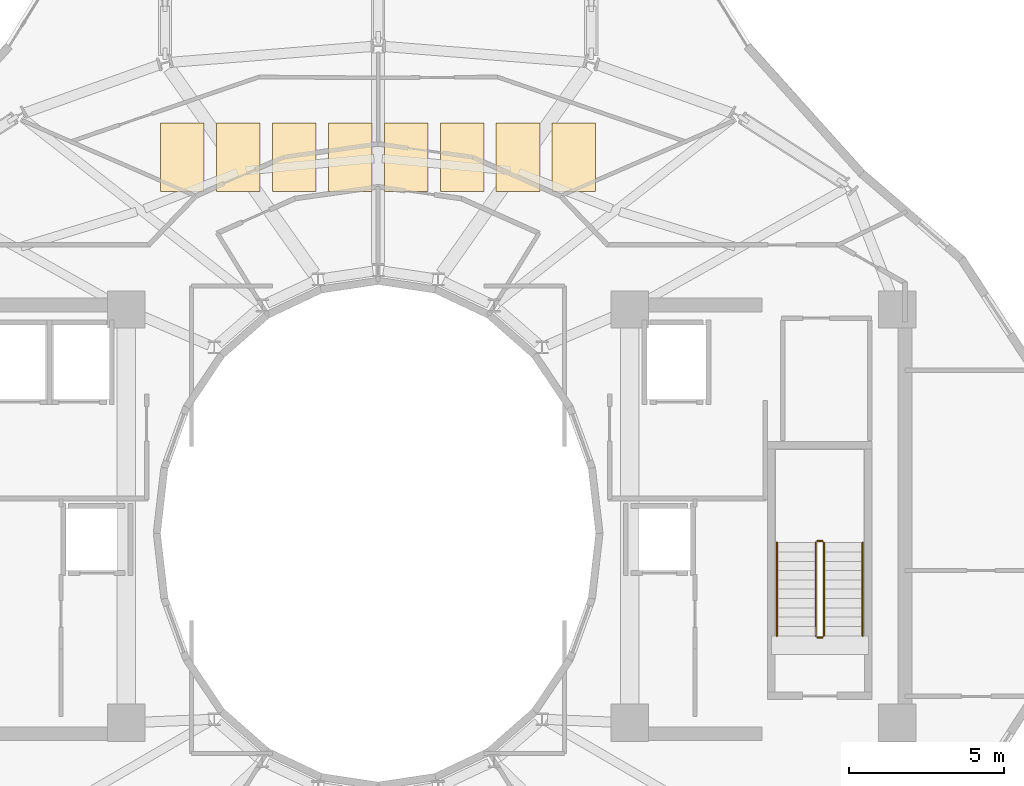
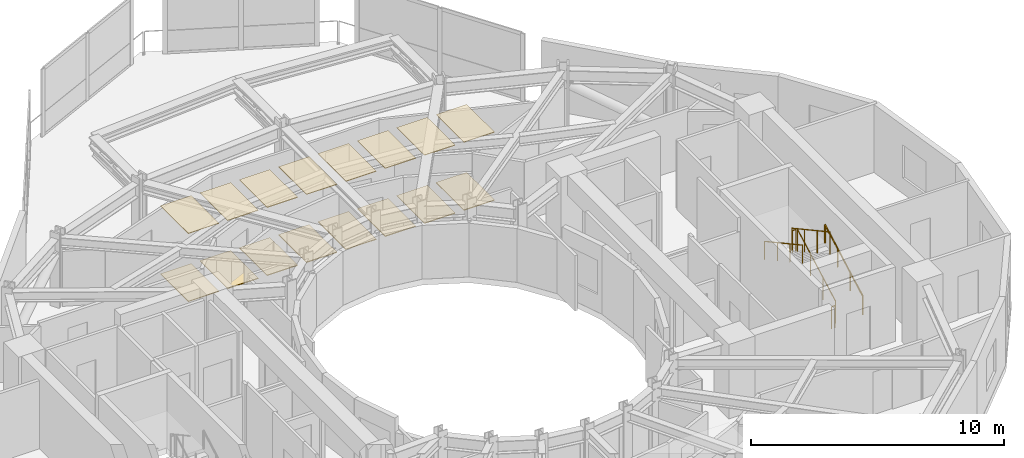
# One storey, part 18 of 19: 16 coverings, 6 railings.
"""IFC4 building model written with IfcOpenShell, lengths in metres."""

from ifc_helpers import new_model, si_unit, direction, frame, origin, origin_2d, place, context, subcontext, project, spatial, polyline, circle, outline, extrude, material, layer, layer_set, type_object, element, save


model = new_model("IFC4")

# Units and contexts
model_context = context("Model", 3, precision=1e-05, world=origin(), true_north=direction((0.0, 1.0)))
body_context = subcontext(model_context, "Body", "Model", "MODEL_VIEW")
ifc_project = project(units=[si_unit("LENGTHUNIT", "METRE"), si_unit("AREAUNIT", "SQUARE_METRE"), si_unit("VOLUMEUNIT", "CUBIC_METRE"), si_unit("PLANEANGLEUNIT", "RADIAN"), si_unit("MASSUNIT", "GRAM", prefix="KILO")], contexts=[model_context])

# Site, building, storey
site_placement = place(None, origin())
site = spatial("IfcSite", under=ifc_project, at=site_placement, CompositionType="ELEMENT")
building_placement = place(site_placement, origin())
building = spatial("IfcBuilding", under=site, at=building_placement, Name="Solvane Sanctuary Tower", CompositionType="ELEMENT")
storey_placement = place(building_placement, frame((0.0, 0.0, 242.39990234375)))
storey = spatial("IfcBuildingStorey", under=building, at=storey_placement, Name="L74", CompositionType="ELEMENT", Elevation=242.39990234375)

# Coverings
ifc_material_1 = material(Name="Acoustic Gypsum Partition Board")
ifc_layer_1 = layer(ifc_material_1, 0.02490234375, Name="Acoustic Gypsum Partition Board")
ifc_layer_set_1 = layer_set([ifc_layer_1], Name="Acoustic Gypsum Partition Board")
covering_type_1 = type_object("IfcCoveringType", Name="Covering CLG-ACOUST", PredefinedType="CEILING", material=ifc_layer_set_1)
covering_1_placement = place(storey_placement, frame((0.0, 0.0, 3.2900390625)))
element("IfcCovering", 1, at=covering_1_placement, inside=storey, type_object=covering_type_1, Name="L74 Sky Dining Acoustic Coffer 1", PredefinedType="CEILING", context=body_context, shape_type="SweptSolid", body=[
    extrude(outline(polyline([(25.0, 34.0), (26.39990234375, 34.0), (26.39990234375, 36.199951171875), (25.0, 36.199951171875), (25.0, 34.0)])), origin(), (0.0, 0.0, 1.0), 0.030029296875),
])
covering_2_placement = place(storey_placement, frame((0.0, 0.0, 3.2900390625)))
element("IfcCovering", 2, at=covering_2_placement, inside=storey, type_object=covering_type_1, Name="L74 Sky Dining Acoustic Coffer 2", PredefinedType="CEILING", context=body_context, shape_type="SweptSolid", body=[
    extrude(outline(polyline([(26.800048828125, 34.0), (28.199951171875, 34.0), (28.199951171875, 36.199951171875), (26.800048828125, 36.199951171875), (26.800048828125, 34.0)])), origin(), (0.0, 0.0, 1.0), 0.030029296875),
])
covering_3_placement = place(storey_placement, frame((0.0, 0.0, 3.2900390625)))
element("IfcCovering", 3, at=covering_3_placement, inside=storey, type_object=covering_type_1, Name="L74 Sky Dining Acoustic Coffer 3", PredefinedType="CEILING", context=body_context, shape_type="SweptSolid", body=[
    extrude(outline(polyline([(28.60009765625, 34.0), (30.0, 34.0), (30.0, 36.199951171875), (28.60009765625, 36.199951171875), (28.60009765625, 34.0)])), origin(), (0.0, 0.0, 1.0), 0.030029296875),
])
covering_4_placement = place(storey_placement, frame((0.0, 0.0, 3.2900390625)))
element("IfcCovering", 4, at=covering_4_placement, inside=storey, type_object=covering_type_1, Name="L74 Sky Dining Acoustic Coffer 4", PredefinedType="CEILING", context=body_context, shape_type="SweptSolid", body=[
    extrude(outline(polyline([(30.39990234375, 34.0), (31.800048828125, 34.0), (31.800048828125, 36.199951171875), (30.39990234375, 36.199951171875), (30.39990234375, 34.0)])), origin(), (0.0, 0.0, 1.0), 0.030029296875),
])
covering_5_placement = place(storey_placement, frame((0.0, 0.0, 3.2900390625)))
element("IfcCovering", 5, at=covering_5_placement, inside=storey, type_object=covering_type_1, Name="L74 Sky Dining Acoustic Coffer 5", PredefinedType="CEILING", context=body_context, shape_type="SweptSolid", body=[
    extrude(outline(polyline([(32.199951171875, 34.0), (33.60009765625, 34.0), (33.60009765625, 36.199951171875), (32.199951171875, 36.199951171875), (32.199951171875, 34.0)])), origin(), (0.0, 0.0, 1.0), 0.030029296875),
])
covering_6_placement = place(storey_placement, frame((0.0, 0.0, 3.2900390625)))
element("IfcCovering", 6, at=covering_6_placement, inside=storey, type_object=covering_type_1, Name="L74 Sky Dining Acoustic Coffer 6", PredefinedType="CEILING", context=body_context, shape_type="SweptSolid", body=[
    extrude(outline(polyline([(34.0, 34.0), (35.39990234375, 34.0), (35.39990234375, 36.199951171875), (34.0, 36.199951171875), (34.0, 34.0)])), origin(), (0.0, 0.0, 1.0), 0.030029296875),
])
covering_7_placement = place(storey_placement, frame((0.0, 0.0, 3.2900390625)))
element("IfcCovering", 7, at=covering_7_placement, inside=storey, type_object=covering_type_1, Name="L74 Sky Dining Acoustic Coffer 7", PredefinedType="CEILING", context=body_context, shape_type="SweptSolid", body=[
    extrude(outline(polyline([(35.800048828125, 34.0), (37.199951171875, 34.0), (37.199951171875, 36.199951171875), (35.800048828125, 36.199951171875), (35.800048828125, 34.0)])), origin(), (0.0, 0.0, 1.0), 0.030029296875),
])
covering_8_placement = place(storey_placement, frame((0.0, 0.0, 3.2900390625)))
element("IfcCovering", 8, at=covering_8_placement, inside=storey, type_object=covering_type_1, Name="L74 Sky Dining Acoustic Coffer 8", PredefinedType="CEILING", context=body_context, shape_type="SweptSolid", body=[
    extrude(outline(polyline([(37.60009765625, 34.0), (39.0, 34.0), (39.0, 36.199951171875), (37.60009765625, 36.199951171875), (37.60009765625, 34.0)])), origin(), (0.0, 0.0, 1.0), 0.030029296875),
])
ifc_material_2 = material(Name="Ceramic Tile Finish")
ifc_layer_2 = layer(ifc_material_2, 0.030029296875, Name="Ceramic Tile Finish")
ifc_layer_set_2 = layer_set([ifc_layer_2], Name="Ceramic Tile Finish")
covering_type_2 = type_object("IfcCoveringType", Name="Covering FLR-TERRAZZO", PredefinedType="FLOORING", material=ifc_layer_set_2)
covering_9_placement = place(storey_placement, origin())
element("IfcCovering", 9, at=covering_9_placement, inside=storey, type_object=covering_type_2, Name="L74 Sky Dining Terrazzo Inlay 1", PredefinedType="FLOORING", context=body_context, shape_type="SweptSolid", body=[
    extrude(outline(polyline([(25.0, 34.0), (26.39990234375, 34.0), (26.39990234375, 36.199951171875), (25.0, 36.199951171875), (25.0, 34.0)])), origin(), (0.0, 0.0, 1.0), 0.03515625),
])
covering_10_placement = place(storey_placement, origin())
element("IfcCovering", 10, at=covering_10_placement, inside=storey, type_object=covering_type_2, Name="L74 Sky Dining Terrazzo Inlay 2", PredefinedType="FLOORING", context=body_context, shape_type="SweptSolid", body=[
    extrude(outline(polyline([(26.800048828125, 34.0), (28.199951171875, 34.0), (28.199951171875, 36.199951171875), (26.800048828125, 36.199951171875), (26.800048828125, 34.0)])), origin(), (0.0, 0.0, 1.0), 0.03515625),
])
covering_11_placement = place(storey_placement, origin())
element("IfcCovering", 11, at=covering_11_placement, inside=storey, type_object=covering_type_2, Name="L74 Sky Dining Terrazzo Inlay 3", PredefinedType="FLOORING", context=body_context, shape_type="SweptSolid", body=[
    extrude(outline(polyline([(28.60009765625, 34.0), (30.0, 34.0), (30.0, 36.199951171875), (28.60009765625, 36.199951171875), (28.60009765625, 34.0)])), origin(), (0.0, 0.0, 1.0), 0.03515625),
])
covering_12_placement = place(storey_placement, origin())
element("IfcCovering", 12, at=covering_12_placement, inside=storey, type_object=covering_type_2, Name="L74 Sky Dining Terrazzo Inlay 4", PredefinedType="FLOORING", context=body_context, shape_type="SweptSolid", body=[
    extrude(outline(polyline([(30.39990234375, 34.0), (31.800048828125, 34.0), (31.800048828125, 36.199951171875), (30.39990234375, 36.199951171875), (30.39990234375, 34.0)])), origin(), (0.0, 0.0, 1.0), 0.03515625),
])
covering_13_placement = place(storey_placement, origin())
element("IfcCovering", 13, at=covering_13_placement, inside=storey, type_object=covering_type_2, Name="L74 Sky Dining Terrazzo Inlay 5", PredefinedType="FLOORING", context=body_context, shape_type="SweptSolid", body=[
    extrude(outline(polyline([(32.199951171875, 34.0), (33.60009765625, 34.0), (33.60009765625, 36.199951171875), (32.199951171875, 36.199951171875), (32.199951171875, 34.0)])), origin(), (0.0, 0.0, 1.0), 0.03515625),
])
covering_14_placement = place(storey_placement, origin())
element("IfcCovering", 14, at=covering_14_placement, inside=storey, type_object=covering_type_2, Name="L74 Sky Dining Terrazzo Inlay 6", PredefinedType="FLOORING", context=body_context, shape_type="SweptSolid", body=[
    extrude(outline(polyline([(34.0, 34.0), (35.39990234375, 34.0), (35.39990234375, 36.199951171875), (34.0, 36.199951171875), (34.0, 34.0)])), origin(), (0.0, 0.0, 1.0), 0.03515625),
])
covering_15_placement = place(storey_placement, origin())
element("IfcCovering", 15, at=covering_15_placement, inside=storey, type_object=covering_type_2, Name="L74 Sky Dining Terrazzo Inlay 7", PredefinedType="FLOORING", context=body_context, shape_type="SweptSolid", body=[
    extrude(outline(polyline([(35.800048828125, 34.0), (37.199951171875, 34.0), (37.199951171875, 36.199951171875), (35.800048828125, 36.199951171875), (35.800048828125, 34.0)])), origin(), (0.0, 0.0, 1.0), 0.03515625),
])
covering_16_placement = place(storey_placement, origin())
element("IfcCovering", 16, at=covering_16_placement, inside=storey, type_object=covering_type_2, Name="L74 Sky Dining Terrazzo Inlay 8", PredefinedType="FLOORING", context=body_context, shape_type="SweptSolid", body=[
    extrude(outline(polyline([(37.60009765625, 34.0), (39.0, 34.0), (39.0, 36.199951171875), (37.60009765625, 36.199951171875), (37.60009765625, 34.0)])), origin(), (0.0, 0.0, 1.0), 0.03515625),
])

# Railings
ifc_material_3 = material(Name="Architectural Stainless Steel 316", Category="steel")
railing_type_1 = type_object("IfcRailingType", Name="Railing GR-BALC-1150", PredefinedType="BALUSTRADE", material=ifc_material_3)
railing_1_placement = place(storey_placement, frame((46.340087890625, 19.699951171875, 0.163818359375)))
element("IfcRailing", 17, at=railing_1_placement, inside=storey, type_object=railing_type_1, Name="L74 ST-2 stair guard 1", PredefinedType="BALUSTRADE", context=body_context, shape_type="SweptSolid", body=[
    extrude(circle(Radius=0.02392578125, at=origin_2d()), frame((0.0, 0.0, 1.076171875), z_axis=(0.0, 0.877911954615, 0.47882209634), x_axis=(-1.0, 0.0, 0.0)), (0.0, 0.0, 1.0), 3.417236328125),
    extrude(circle(Radius=0.02099609375, at=origin_2d()), origin(), (0.0, 0.0, 1.0), 1.052001953125),
    extrude(circle(Radius=0.02099609375, at=origin_2d()), frame((0.0, 1.0, 0.54541015625)), (0.0, 0.0, 1.0), 1.052001953125),
    extrude(circle(Radius=0.02099609375, at=origin_2d()), frame((0.0, 2.0, 1.0908203125)), (0.0, 0.0, 1.0), 1.052001953125),
    extrude(circle(Radius=0.02099609375, at=origin_2d()), frame((0.0, 3.0, 1.63623046875)), (0.0, 0.0, 1.0), 1.052001953125),
])
railing_2_placement = place(storey_placement, frame((46.2900390625, 22.75, 1.800048828125)))
element("IfcRailing", 18, at=railing_2_placement, inside=storey, type_object=railing_type_1, Name="L74 ST-2 stair guard 2", PredefinedType="BALUSTRADE", context=body_context, shape_type="SweptSolid", body=[
    extrude(circle(Radius=0.02392578125, at=origin_2d()), frame((0.0, 0.0, 1.076171875), z_axis=(-1.0, 0.0, 0.0), x_axis=(0.0, -1.0, 0.0)), (0.0, 0.0, 1.0), 0.16015625),
    extrude(circle(Radius=0.02099609375, at=origin_2d()), origin(), (0.0, 0.0, 1.0), 1.052001953125),
    extrude(circle(Radius=0.02099609375, at=origin_2d()), frame((-0.16015625, 0.0, 0.0)), (0.0, 0.0, 1.0), 1.052001953125),
])
railing_3_placement = place(storey_placement, frame((46.080078125, 22.699951171875, 1.963623046875)))
element("IfcRailing", 19, at=railing_3_placement, inside=storey, type_object=railing_type_1, Name="L74 ST-2 stair guard 3", PredefinedType="BALUSTRADE", context=body_context, shape_type="SweptSolid", body=[
    extrude(circle(Radius=0.02392578125, at=origin_2d()), frame((0.0, 0.0, 1.076171875), z_axis=(0.0, -0.877881921179, 0.478877158013), x_axis=(1.0, 0.0, 0.0)), (0.0, 0.0, 1.0), 3.417236328125),
    extrude(circle(Radius=0.02099609375, at=origin_2d()), origin(), (0.0, 0.0, 1.0), 1.052001953125),
    extrude(circle(Radius=0.02099609375, at=origin_2d()), frame((0.0, -1.0, 0.54541015625)), (0.0, 0.0, 1.0), 1.052001953125),
    extrude(circle(Radius=0.02099609375, at=origin_2d()), frame((0.0, -2.0, 1.091064453125)), (0.0, 0.0, 1.0), 1.052001953125),
    extrude(circle(Radius=0.02099609375, at=origin_2d()), frame((0.0, -3.0, 1.636474609375)), (0.0, 0.0, 1.0), 1.052001953125),
])
railing_4_placement = place(storey_placement, frame((46.2900390625, 19.64990234375, 0.0)))
element("IfcRailing", 20, at=railing_4_placement, inside=storey, type_object=railing_type_1, Name="L74 ST-2 stair guard 4", PredefinedType="BALUSTRADE", context=body_context, shape_type="SweptSolid", body=[
    extrude(circle(Radius=0.02392578125, at=origin_2d()), frame((0.0, 0.0, 1.076171875), z_axis=(-1.0, 0.0, 0.0), x_axis=(0.0, -1.0, 0.0)), (0.0, 0.0, 1.0), 0.16015625),
    extrude(circle(Radius=0.02099609375, at=origin_2d()), origin(), (0.0, 0.0, 1.0), 1.052001953125),
    extrude(circle(Radius=0.02099609375, at=origin_2d()), frame((-0.16015625, 0.0, 0.0)), (0.0, 0.0, 1.0), 1.052001953125),
])
railing_type_2 = type_object("IfcRailingType", Name="Railing HR-STAIR-920", PredefinedType="HANDRAIL", material=ifc_material_3)
railing_5_placement = place(storey_placement, frame((47.590087890625, 19.699951171875, 0.163818359375)))
element("IfcRailing", 21, at=railing_5_placement, inside=storey, type_object=railing_type_2, Name="L74 ST-2 stair handrail 1", PredefinedType="HANDRAIL", context=body_context, shape_type="SweptSolid", body=[
    extrude(circle(Radius=0.02392578125, at=origin_2d()), frame((0.0, 0.0, 0.8759765625), z_axis=(0.0, 0.877911954615, 0.47882209634), x_axis=(-1.0, 0.0, 0.0)), (0.0, 0.0, 1.0), 3.417236328125),
    extrude(circle(Radius=0.02099609375, at=origin_2d()), origin(), (0.0, 0.0, 1.0), 0.851806640625),
    extrude(circle(Radius=0.02099609375, at=origin_2d()), frame((0.0, 1.0, 0.54541015625)), (0.0, 0.0, 1.0), 0.851806640625),
    extrude(circle(Radius=0.02099609375, at=origin_2d()), frame((0.0, 2.0, 1.0908203125)), (0.0, 0.0, 1.0), 0.851806640625),
    extrude(circle(Radius=0.02099609375, at=origin_2d()), frame((0.0, 3.0, 1.63623046875)), (0.0, 0.0, 1.0), 0.851806640625),
])
railing_6_placement = place(storey_placement, frame((44.830078125, 22.699951171875, 1.963623046875)))
element("IfcRailing", 22, at=railing_6_placement, inside=storey, type_object=railing_type_2, Name="L74 ST-2 stair handrail 2", PredefinedType="HANDRAIL", context=body_context, shape_type="SweptSolid", body=[
    extrude(circle(Radius=0.02392578125, at=origin_2d()), frame((0.0, 0.0, 0.8759765625), z_axis=(0.0, -0.877881921179, 0.478877158013), x_axis=(1.0, 0.0, 0.0)), (0.0, 0.0, 1.0), 3.417236328125),
    extrude(circle(Radius=0.02099609375, at=origin_2d()), origin(), (0.0, 0.0, 1.0), 0.851806640625),
    extrude(circle(Radius=0.02099609375, at=origin_2d()), frame((0.0, -1.0, 0.54541015625)), (0.0, 0.0, 1.0), 0.851806640625),
    extrude(circle(Radius=0.02099609375, at=origin_2d()), frame((0.0, -2.0, 1.091064453125)), (0.0, 0.0, 1.0), 0.851806640625),
    extrude(circle(Radius=0.02099609375, at=origin_2d()), frame((0.0, -3.0, 1.636474609375)), (0.0, 0.0, 1.0), 0.851806640625),
])

save(model, "model.ifc")
